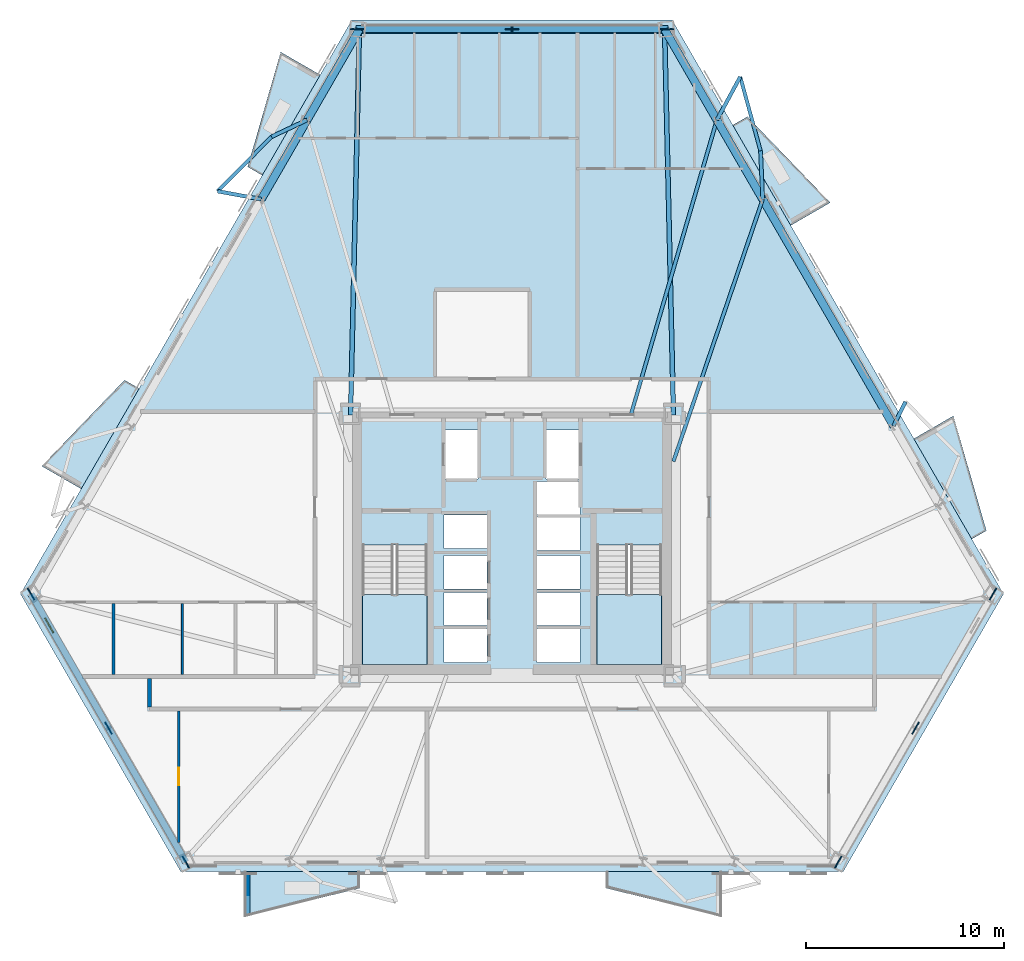
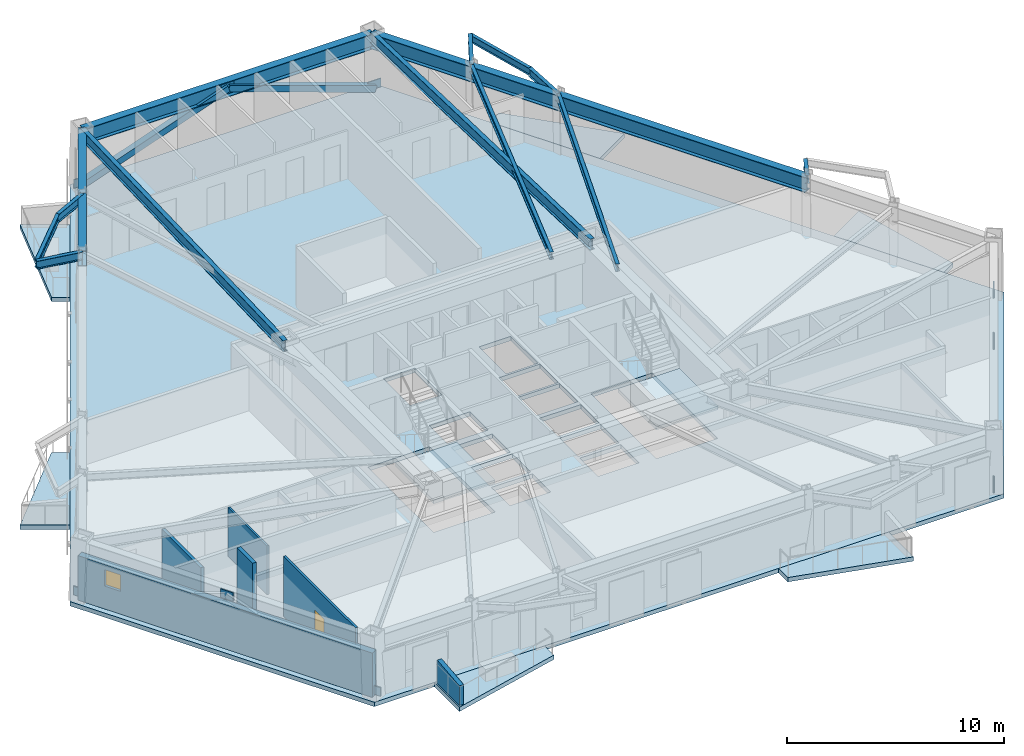
# One storey, part 2 of 12: 17 beams, 9 plates, 9 slabs, 6 walls, 2 members, 1 door, 1 window, 2 openings, 2 elements without a shape of their own.
"""IFC4 building model written with IfcOpenShell, lengths in metres."""

from ifc_helpers import new_model, si_unit, direction, frame, frame_2d, origin, origin_2d, place, context, subcontext, project, spatial, polyline, rectangle, hollow_rectangle, i_section, outline, extrude, material, layer, layer_set, material_profile, profile_set, type_object, element, fill, aggregate, save


model = new_model("IFC4")

# Units and contexts
model_context = context("Model", 3, precision=1e-05, world=origin(), true_north=direction((0.0, 1.0)))
body_context = subcontext(model_context, "Body", "Model", "MODEL_VIEW")
ifc_project = project(units=[si_unit("LENGTHUNIT", "METRE"), si_unit("AREAUNIT", "SQUARE_METRE"), si_unit("VOLUMEUNIT", "CUBIC_METRE"), si_unit("PLANEANGLEUNIT", "RADIAN"), si_unit("MASSUNIT", "GRAM", prefix="KILO")], contexts=[model_context])

# Site, building, storey
site_placement = place(None, origin())
site = spatial("IfcSite", under=ifc_project, at=site_placement, CompositionType="ELEMENT")
building_placement = place(site_placement, origin())
building = spatial("IfcBuilding", under=site, at=building_placement, Name="Oramaril Tower", CompositionType="ELEMENT")
storey_placement = place(building_placement, frame((0.0, 0.0, 34.5)))
storey = spatial("IfcBuildingStorey", under=building, at=storey_placement, Name="L08", CompositionType="ELEMENT", Elevation=34.5)

# Beams
ifc_material_1 = material(Name="Steel ASTM A572 Gr 50", Category="steel")
ifc_material_profile_1 = material_profile(ifc_material_1, i_section(OverallWidth=0.19091796875, OverallDepth=0.45703125, WebThickness=0.009033203125, FlangeThickness=0.014404296875, at=origin_2d()), Name="W18X50")
ifc_profile_set_1 = profile_set([ifc_material_profile_1], Name="Steel ASTM A572 Gr 50")
beam_type_1 = type_object("IfcBeamType", Name="BT-BB1", PredefinedType="BEAM", material=ifc_profile_set_1)
beam_1_placement = place(storey_placement, frame((56.759765625, 23.593505859375, 3.131591796875), z_axis=(0.444327199508, 0.895864576695, 0.0), x_axis=(-0.895864576695, 0.444327199508, 0.0)))
element("IfcBeam", 1, at=beam_1_placement, inside=storey, type_object=beam_type_1, Name="L08 Balcony Column-Framed Cantilever 03.2", PredefinedType="BEAM", context=body_context, shape_type="SweptSolid", body=[
    extrude(i_section(OverallWidth=0.19091796875, OverallDepth=0.45703125, WebThickness=0.009033203125, FlangeThickness=0.014404296875, at=origin_2d()), origin(), (0.0, 0.0, 1.0), 1.3544921875),
])
beam_2_placement = place(storey_placement, frame((50.1552734375, 35.03271484375, 3.131591796875), z_axis=(-0.045140969972, 0.998980626854, 0.0), x_axis=(-0.998980626854, -0.045140969972, 0.0)))
element("IfcBeam", 2, at=beam_2_placement, inside=storey, type_object=beam_type_1, Name="L08 Balcony Column-Framed Cantilever 04.1", PredefinedType="BEAM", context=body_context, shape_type="SweptSolid", body=[
    extrude(i_section(OverallWidth=0.19091796875, OverallDepth=0.45703125, WebThickness=0.009033203125, FlangeThickness=0.014404296875, at=origin_2d()), origin(), (0.0, 0.0, 1.0), 2.449951171875),
])
beam_3_placement = place(storey_placement, frame((47.84375, 39.036376953125, 3.131591796875), z_axis=(0.475946205517, 0.879474393859, 0.0), x_axis=(-0.879474393859, 0.475946205517, 0.0)))
element("IfcBeam", 3, at=beam_3_placement, inside=storey, type_object=beam_type_1, Name="L08 Balcony Column-Framed Cantilever 04.2", PredefinedType="BEAM", context=body_context, shape_type="SweptSolid", body=[
    extrude(i_section(OverallWidth=0.19091796875, OverallDepth=0.45703125, WebThickness=0.009033203125, FlangeThickness=0.014404296875, at=origin_2d()), origin(), (0.0, 0.0, 1.0), 2.474609375),
])
beam_4_placement = place(storey_placement, frame((27.15625, 39.036376953125, 3.131591796875), z_axis=(-0.904113809351, -0.427291726741, 0.0), x_axis=(0.427291726741, -0.904113809351, 0.0)))
element("IfcBeam", 4, at=beam_4_placement, inside=storey, type_object=beam_type_1, Name="L08 Balcony Column-Framed Cantilever 05.1", PredefinedType="BEAM", context=body_context, shape_type="SweptSolid", body=[
    extrude(i_section(OverallWidth=0.19091796875, OverallDepth=0.45703125, WebThickness=0.009033203125, FlangeThickness=0.014404296875, at=origin_2d()), origin(), (0.0, 0.0, 1.0), 1.9814453125),
])
beam_5_placement = place(storey_placement, frame((24.8447265625, 35.03271484375, 3.131591796875), z_axis=(-0.983540043701, 0.18069029425, 0.0), x_axis=(-0.18069029425, -0.983540043701, 0.0)))
element("IfcBeam", 5, at=beam_5_placement, inside=storey, type_object=beam_type_1, Name="L08 Balcony Column-Framed Cantilever 05.2", PredefinedType="BEAM", context=body_context, shape_type="SweptSolid", body=[
    extrude(i_section(OverallWidth=0.19091796875, OverallDepth=0.45703125, WebThickness=0.009033203125, FlangeThickness=0.014404296875, at=origin_2d()), origin(), (0.0, 0.0, 1.0), 2.237548828125),
])
ifc_material_2 = material(Name="Steel ASTM A572 Gr 50", Category="steel")
ifc_material_profile_2 = material_profile(ifc_material_2, i_section(OverallWidth=0.22900390625, OverallDepth=0.612060546875, WebThickness=0.011962890625, FlangeThickness=0.01953125, at=origin_2d()), Name="W24X84")
ifc_profile_set_2 = profile_set([ifc_material_profile_2], Name="Steel ASTM A572 Gr 50")
beam_type_2 = type_object("IfcBeamType", Name="BT-FB1", PredefinedType="BEAM", material=ifc_profile_set_2)
for number, where, z_axis, x_axis, name in (
    (6, (45.64990234375, 24.14990234375, 3.053955078125), (-0.023000587311, 0.999735451499, 0.0), (-0.999735451499, -0.023000587311, 0.0), "L08 Radial Primary Beam RB-05"),
    (7, (29.35009765625, 24.14990234375, 3.053955078125), (0.023000587311, 0.999735451499, 0.0), (-0.999735451499, 0.023000587311, 0.0), "L08 Radial Primary Beam RB-06"),
):
    element("IfcBeam", number, at=place(storey_placement, frame(where, z_axis=z_axis, x_axis=x_axis)), inside=storey, type_object=beam_type_2, Name=name, PredefinedType="BEAM", context=body_context, shape_type="SweptSolid", body=[
        extrude(i_section(OverallWidth=0.22900390625, OverallDepth=0.612060546875, WebThickness=0.011962890625, FlangeThickness=0.01953125, at=origin_2d()), origin(), (0.0, 0.0, 1.0), 19.467041015625),
    ])
ifc_material_3 = material(Name="Steel ASTM A572 Gr 50", Category="steel")
ifc_material_profile_3 = material_profile(ifc_material_3, i_section(OverallWidth=0.177978515625, OverallDepth=0.404052734375, WebThickness=0.007568359375, FlangeThickness=0.010986328125, at=origin_2d()), Name="W16X36")
ifc_profile_set_3 = profile_set([ifc_material_profile_3], Name="Steel ASTM A572 Gr 50")
beam_type_3 = type_object("IfcBeamType", Name="BT-SB1", PredefinedType="BEAM", material=ifc_profile_set_3)
beam_6_placement = place(storey_placement, frame((45.64990234375, 21.800048828125, 3.157958984375), z_axis=(0.322304424672, 0.946636074654, 0.0), x_axis=(-0.946636074654, 0.322304424672, 0.0)))
element("IfcBeam", 8, at=beam_6_placement, inside=storey, type_object=beam_type_3, Name="L08 Secondary Floor Beam SB-06", PredefinedType="BEAM", context=body_context, shape_type="SweptSolid", body=[
    extrude(i_section(OverallWidth=0.177978515625, OverallDepth=0.404052734375, WebThickness=0.007568359375, FlangeThickness=0.010986328125, at=origin_2d()), origin(), (0.0, 0.0, 1.0), 13.978515625),
])
beam_7_placement = place(storey_placement, frame((43.5, 24.14990234375, 3.157958984375), z_axis=(0.280110631764, 0.959967725485, 0.0), x_axis=(-0.959967725485, 0.280110631764, 0.0)))
element("IfcBeam", 9, at=beam_7_placement, inside=storey, type_object=beam_type_3, Name="L08 Secondary Floor Beam SB-07", PredefinedType="BEAM", context=body_context, shape_type="SweptSolid", body=[
    extrude(i_section(OverallWidth=0.177978515625, OverallDepth=0.404052734375, WebThickness=0.007568359375, FlangeThickness=0.010986328125, at=origin_2d()), origin(), (0.0, 0.0, 1.0), 15.50732421875),
])
beam_8_placement = place(storey_placement, frame((50.044677734375, 37.480224609375, 3.157958984375), z_axis=(-0.264382243015, 0.964417974521, 0.0), x_axis=(-0.964417974521, -0.264382243015, 0.0)))
element("IfcBeam", 10, at=beam_8_placement, inside=storey, type_object=beam_type_3, Name="L08 Balcony Edge Tie Beam 04", PredefinedType="BEAM", context=body_context, shape_type="SweptSolid", body=[
    extrude(i_section(OverallWidth=0.177978515625, OverallDepth=0.404052734375, WebThickness=0.007568359375, FlangeThickness=0.010986328125, at=origin_2d()), origin(), (0.0, 0.0, 1.0), 3.8701171875),
])
beam_9_placement = place(storey_placement, frame((25.36474609375, 38.189697265625, 3.157958984375), z_axis=(-0.702962973102, -0.711226446673, 0.0), x_axis=(0.711226446673, -0.702962973102, 0.0)))
element("IfcBeam", 11, at=beam_9_placement, inside=storey, type_object=beam_type_3, Name="L08 Balcony Edge Tie Beam 05", PredefinedType="BEAM", context=body_context, shape_type="SweptSolid", body=[
    extrude(i_section(OverallWidth=0.177978515625, OverallDepth=0.404052734375, WebThickness=0.007568359375, FlangeThickness=0.010986328125, at=origin_2d()), origin(), (0.0, 0.0, 1.0), 3.870361328125),
])
ifc_material_4 = material(Name="Steel ASTM A572 Gr 50", Category="steel")
ifc_material_profile_4 = material_profile(ifc_material_4, i_section(OverallWidth=0.40087890625, OverallDepth=0.85595703125, WebThickness=0.018310546875, FlangeThickness=0.029296875, at=origin_2d()), Name="W33X201")
ifc_profile_set_4 = profile_set([ifc_material_profile_4], Name="Steel ASTM A572 Gr 50")
beam_type_4 = type_object("IfcBeamType", Name="BT-SP1", PredefinedType="SPANDREL", material=ifc_profile_set_4)
beam_10_placement = place(storey_placement, frame((56.759765625, 23.593505859375, 2.931884765625), z_axis=(-0.500003509056, 0.866023377821, 0.0), x_axis=(-0.866023377821, -0.500003509056, 0.0)))
element("IfcBeam", 12, at=beam_10_placement, inside=storey, type_object=beam_type_4, Name="L08 Perimeter Spandrel 10", PredefinedType="SPANDREL", context=body_context, shape_type="SweptSolid", body=[
    extrude(i_section(OverallWidth=0.40087890625, OverallDepth=0.85595703125, WebThickness=0.018310546875, FlangeThickness=0.029296875, at=origin_2d()), origin(), (0.0, 0.0, 1.0), 13.208984375),
])
beam_11_placement = place(storey_placement, frame((50.1552734375, 35.03271484375, 2.931884765625), z_axis=(-0.500001304485, 0.866024650639, 0.0), x_axis=(-0.866024650639, -0.500001304485, 0.0)))
element("IfcBeam", 13, at=beam_11_placement, inside=storey, type_object=beam_type_4, Name="L08 Perimeter Spandrel 11", PredefinedType="SPANDREL", context=body_context, shape_type="SweptSolid", body=[
    extrude(i_section(OverallWidth=0.40087890625, OverallDepth=0.85595703125, WebThickness=0.018310546875, FlangeThickness=0.029296875, at=origin_2d()), origin(), (0.0, 0.0, 1.0), 4.623046875),
])
beam_12_placement = place(storey_placement, frame((47.84375, 39.036376953125, 2.931884765625), z_axis=(-0.499995792721, 0.866027832845, 0.0), x_axis=(-0.866027832845, -0.499995792721, 0.0)))
element("IfcBeam", 14, at=beam_12_placement, inside=storey, type_object=beam_type_4, Name="L08 Perimeter Spandrel 12", PredefinedType="SPANDREL", context=body_context, shape_type="SweptSolid", body=[
    extrude(i_section(OverallWidth=0.40087890625, OverallDepth=0.85595703125, WebThickness=0.018310546875, FlangeThickness=0.029296875, at=origin_2d()), origin(), (0.0, 0.0, 1.0), 5.283203125),
])
beam_13_placement = place(storey_placement, frame((45.2021484375, 43.61181640625, 2.931884765625), z_axis=(-1.0, 0.0, 0.0), x_axis=(0.0, -1.0, 0.0)))
element("IfcBeam", 15, at=beam_13_placement, inside=storey, type_object=beam_type_4, Name="L08 Perimeter Spandrel 13", PredefinedType="SPANDREL", context=body_context, shape_type="SweptSolid", body=[
    extrude(i_section(OverallWidth=0.40087890625, OverallDepth=0.85595703125, WebThickness=0.018310546875, FlangeThickness=0.029296875, at=origin_2d()), origin(), (0.0, 0.0, 1.0), 15.404296875),
])
beam_14_placement = place(storey_placement, frame((29.7978515625, 43.61181640625, 2.931884765625), z_axis=(-0.499995792721, -0.866027832845, 0.0), x_axis=(0.866027832845, -0.499995792721, 0.0)))
element("IfcBeam", 16, at=beam_14_placement, inside=storey, type_object=beam_type_4, Name="L08 Perimeter Spandrel 14", PredefinedType="SPANDREL", context=body_context, shape_type="SweptSolid", body=[
    extrude(i_section(OverallWidth=0.40087890625, OverallDepth=0.85595703125, WebThickness=0.018310546875, FlangeThickness=0.029296875, at=origin_2d()), origin(), (0.0, 0.0, 1.0), 5.283203125),
])
beam_15_placement = place(storey_placement, frame((27.15625, 39.036376953125, 2.931884765625), z_axis=(-0.500001304485, -0.866024650639, 0.0), x_axis=(0.866024650639, -0.500001304485, 0.0)))
element("IfcBeam", 17, at=beam_15_placement, inside=storey, type_object=beam_type_4, Name="L08 Perimeter Spandrel 15", PredefinedType="SPANDREL", context=body_context, shape_type="SweptSolid", body=[
    extrude(i_section(OverallWidth=0.40087890625, OverallDepth=0.85595703125, WebThickness=0.018310546875, FlangeThickness=0.029296875, at=origin_2d()), origin(), (0.0, 0.0, 1.0), 4.623046875),
])

# Members
ifc_material_5 = material(Name="Steel ASTM A572 Gr 50", Category="steel")
ifc_material_profile_5 = material_profile(ifc_material_5, hollow_rectangle(XDim=0.35009765625, YDim=0.35009765625, WallThickness=0.01611328125, at=origin_2d()), Name="HSS350X350X16")
ifc_profile_set_5 = profile_set([ifc_material_profile_5], Name="Steel ASTM A572 Gr 50")
member_type = type_object("IfcMemberType", Name="MT-KB1", PredefinedType="BRACE", material=ifc_profile_set_5)
for number, where, z_axis, x_axis, name in (
    (18, (45.316162109375, 43.621337890625, 0.179931640625), (-0.943243528696, 0.0, 0.332101860236), (0.0, -1.0, 0.0), "L08 Perimeter Chevron Brace KB-3A"),
    (19, (29.683837890625, 43.621337890625, 0.179931640625), (0.943243528696, 0.0, 0.332101860236), (0.0, 1.0, 0.0), "L08 Perimeter Chevron Brace KB-3B"),
):
    element("IfcMember", number, at=place(storey_placement, frame(where, z_axis=z_axis, x_axis=x_axis)), inside=storey, type_object=member_type, Name=name, PredefinedType="BRACE", context=body_context, shape_type="SweptSolid", body=[
        extrude(hollow_rectangle(XDim=0.35009765625, YDim=0.35009765625, WallThickness=0.01611328125, at=origin_2d()), origin(), (0.0, 0.0, 1.0), 8.286376953125),
    ])

# Plates
ifc_material_6 = material(Name="Steel ASTM A572 Gr 50", Category="steel")
ifc_layer_1 = layer(ifc_material_6, 0.06005859375)
ifc_layer_set_1 = layer_set([ifc_layer_1], Name="PLT-G60")
plate_type = type_object("IfcPlateType", Name="PLT-G60", PredefinedType="USERDEFINED", material=ifc_layer_set_1)
for number, where, z_axis, x_axis, name in (
    (20, (17.1298828125, 8.33935546875, 2.69189453125), (0.0, 0.0, 1.0), (0.4999984885, -0.866026276448, 0.0), "L08 Chevron Brace Gusset Plate BN-1"),
    (21, (13.221923828125, 15.1083984375, 0.10009765625), (0.0, 0.0, 1.0), (0.4999984885, -0.866026276448, 0.0), "L08 Chevron Brace Gusset Plate BN-1"),
    (22, (21.0380859375, 1.5703125, 0.10009765625), (0.0, 0.0, 1.0), (0.4999984885, -0.866026276448, 0.0), "L08 Chevron Brace Gusset Plate BN-1"),
    (23, (57.8701171875, 8.33935546875, 2.69189453125), (0.0, 0.0, 1.0), (0.4999984885, 0.866026276448, 0.0), "L08 Chevron Brace Gusset Plate BN-1"),
    (24, (53.9619140625, 1.5703125, 0.10009765625), (0.0, 0.0, 1.0), (0.4999984885, 0.866026276448, 0.0), "L08 Chevron Brace Gusset Plate BN-1"),
    (25, (61.778076171875, 15.1083984375, 0.10009765625), (0.0, 0.0, 1.0), (0.4999984885, 0.866026276448, 0.0), "L08 Chevron Brace Gusset Plate BN-1"),
    (26, (37.5, 43.621337890625, 2.69189453125), (0.0, 0.0, 1.0), (-1.0, 0.0, 0.0), "L08 Chevron Brace Gusset Plate BN-1"),
    (27, (45.316162109375, 43.621337890625, 0.10009765625), (0.0, 0.0, 1.0), (-1.0, 0.0, 0.0), "L08 Chevron Brace Gusset Plate BN-1"),
    (28, (29.683837890625, 43.621337890625, 0.10009765625), (0.0, 0.0, 1.0), (-1.0, 0.0, 0.0), "L08 Chevron Brace Gusset Plate BN-1"),
):
    element("IfcPlate", number, at=place(storey_placement, frame(where, z_axis=z_axis, x_axis=x_axis)), inside=storey, type_object=plate_type, Name=name, ObjectType="GUSSET", PredefinedType="USERDEFINED", context=body_context, shape_type="SweptSolid", body=[
        extrude(rectangle(XDim=0.679931640625, YDim=0.06005859375, at=origin_2d()), origin(), (0.0, 0.0, 1.0), 0.47998046875),
    ])

# Slabs
ifc_material_7 = material(Name="Concrete C40/50", Category="concrete")
ifc_layer_2 = layer(ifc_material_7, 0.199951171875)
ifc_layer_set_2 = layer_set([ifc_layer_2], Name="SLT-BAL20")
slab_type_1 = type_object("IfcSlabType", Name="SLT-BAL20", PredefinedType="FLOOR", material=ifc_layer_set_2)
slab_1_placement = place(storey_placement, frame((0.0, 0.0, -0.239990234375)))
element("IfcSlab", 29, at=slab_1_placement, inside=storey, type_object=slab_type_1, Name="L08 Cantilevered Balcony Slab L08-BAL-S2", PredefinedType="FLOOR", context=body_context, shape_type="SweptSolid", body=[
    extrude(outline(polyline([(42.25244140625, 1.1123046875), (48.1025390625, 1.1123046875), (48.1025390625, -1.189697265625), (42.25244140625, 0.26025390625), (42.25244140625, 1.1123046875)])), origin(), (0.0, 0.0, 1.0), 0.239990234375),
])
slab_2_placement = place(storey_placement, frame((0.0, 0.0, -0.239990234375)))
element("IfcSlab", 30, at=slab_2_placement, inside=storey, type_object=slab_type_1, Name="L08 Cantilevered Balcony Slab L08-BAL-NE1", PredefinedType="FLOOR", context=body_context, shape_type="SweptSolid", body=[
    extrude(outline(polyline([(60.70751953125, 17.878662109375), (57.78271484375, 22.94482421875), (59.776123046875, 24.095947265625), (61.4453125, 18.3046875), (60.70751953125, 17.878662109375)])), origin(), (0.0, 0.0, 1.0), 0.239990234375),
])
slab_3_placement = place(storey_placement, frame((0.0, 0.0, -0.239990234375)))
element("IfcSlab", 31, at=slab_3_placement, inside=storey, type_object=slab_type_1, Name="L08 Cantilevered Balcony Slab L08-BAL-NW2", PredefinedType="FLOOR", context=body_context, shape_type="SweptSolid", body=[
    extrude(outline(polyline([(18.679931640625, 25.47802734375), (15.7548828125, 20.411865234375), (13.76123046875, 21.562744140625), (17.942138671875, 25.904052734375), (18.679931640625, 25.47802734375)])), origin(), (0.0, 0.0, 1.0), 0.239990234375),
])
ifc_material_8 = material(Name="Concrete C50/60", Category="concrete")
ifc_layer_3 = layer(ifc_material_8, 0.239990234375)
ifc_layer_set_3 = layer_set([ifc_layer_3], Name="SLT-FLR24")
slab_type_2 = type_object("IfcSlabType", Name="SLT-FLR24", PredefinedType="FLOOR", material=ifc_layer_set_3)
slab_4_placement = place(storey_placement, frame((0.0, 0.0, -0.239990234375)))
element("IfcSlab", 32, at=slab_4_placement, inside=storey, type_object=slab_type_2, Name="L08 Structural Floor Slab", PredefinedType="FLOOR", context=body_context, shape_type="SweptSolid", body=[
    extrude(outline(polyline([(12.690673828125, 15.1083984375), (20.7724609375, 1.1103515625), (54.2275390625, 1.1103515625), (62.309326171875, 15.1083984375), (45.581787109375, 44.081298828125), (29.418212890625, 44.081298828125), (12.690673828125, 15.1083984375)]), holes=[polyline([(29.949951171875, 17.58935546875), (29.949951171875, 11.550048828125), (33.219970703125, 11.550048828125), (33.219970703125, 17.58935546875), (29.949951171875, 17.58935546875)]), polyline([(41.780029296875, 17.58935546875), (41.780029296875, 11.550048828125), (45.050048828125, 11.550048828125), (45.050048828125, 17.58935546875), (41.780029296875, 17.58935546875)]), polyline([(34.110107421875, 20.909912109375), (35.7900390625, 20.909912109375), (35.7900390625, 23.389892578125), (34.110107421875, 23.389892578125), (34.110107421875, 20.909912109375)]), polyline([(39.2099609375, 20.909912109375), (40.889892578125, 20.909912109375), (40.889892578125, 23.389892578125), (39.2099609375, 23.389892578125), (39.2099609375, 20.909912109375)]), polyline([(34.06005859375, 11.659912109375), (36.239990234375, 11.659912109375), (36.239990234375, 13.340087890625), (34.06005859375, 13.340087890625), (34.06005859375, 11.659912109375)]), polyline([(34.06005859375, 13.510009765625), (36.239990234375, 13.510009765625), (36.239990234375, 15.18994140625), (34.06005859375, 15.18994140625), (34.06005859375, 13.510009765625)]), polyline([(34.06005859375, 15.360107421875), (36.239990234375, 15.360107421875), (36.239990234375, 17.0400390625), (34.06005859375, 17.0400390625), (34.06005859375, 15.360107421875)]), polyline([(38.760009765625, 11.659912109375), (40.93994140625, 11.659912109375), (40.93994140625, 13.340087890625), (38.760009765625, 13.340087890625), (38.760009765625, 11.659912109375)]), polyline([(38.760009765625, 13.510009765625), (40.93994140625, 13.510009765625), (40.93994140625, 15.18994140625), (38.760009765625, 15.18994140625), (38.760009765625, 13.510009765625)]), polyline([(38.760009765625, 15.360107421875), (40.93994140625, 15.360107421875), (40.93994140625, 17.0400390625), (38.760009765625, 17.0400390625), (38.760009765625, 15.360107421875)]), polyline([(34.06005859375, 17.409912109375), (36.239990234375, 17.409912109375), (36.239990234375, 19.090087890625), (34.06005859375, 19.090087890625), (34.06005859375, 17.409912109375)]), polyline([(38.760009765625, 17.31005859375), (40.93994140625, 17.31005859375), (40.93994140625, 18.989990234375), (38.760009765625, 18.989990234375), (38.760009765625, 17.31005859375)]), polyline([(38.760009765625, 19.110107421875), (40.93994140625, 19.110107421875), (40.93994140625, 20.7900390625), (38.760009765625, 20.7900390625), (38.760009765625, 19.110107421875)])]), origin(), (0.0, 0.0, 1.0), 0.239990234375),
])

# Stair, slab
ifc_material_9 = material(Name="Concrete C50/60", Category="concrete")
stair_type = type_object("IfcStairType", Name="STT-DG-3600", PredefinedType="HALF_TURN_STAIR", material=ifc_material_9)
stair_1_placement = place(storey_placement, origin())
stair_1 = element("IfcStair", 33, at=stair_1_placement, inside=storey, type_object=stair_type, Name="L08 Protected PFP Exit Stair ST-1", PredefinedType="HALF_TURN_STAIR")
ifc_material_10 = material(Name="Concrete C50/60", Category="concrete")
ifc_layer_4 = layer(ifc_material_10, 0.199951171875)
ifc_layer_set_4 = layer_set([ifc_layer_4], Name="SLT-LND20")
slab_type_3 = type_object("IfcSlabType", Name="SLT-LND20", PredefinedType="LANDING", material=ifc_layer_set_4)
slab_5_placement = place(storey_placement, frame((0.0, 0.0, 1.60009765625)))
slab_5 = element("IfcSlab", 34, at=slab_5_placement, type_object=slab_type_3, Name="ST-1 landing 1", PredefinedType="LANDING", context=body_context, shape_type="SweptSolid", body=[
    extrude(outline(polyline([(29.949951171875, 15.070068359375), (29.949951171875, 11.550048828125), (33.219970703125, 11.550048828125), (33.219970703125, 15.070068359375), (29.949951171875, 15.070068359375)])), origin(), (0.0, 0.0, 1.0), 0.199951171875),
])
aggregate(stair_1, [slab_5])

stair_2_placement = place(storey_placement, origin())
stair_2 = element("IfcStair", 35, at=stair_2_placement, inside=storey, type_object=stair_type, Name="L08 Protected PFP Exit Stair ST-2", PredefinedType="HALF_TURN_STAIR")
slab_6_placement = place(storey_placement, frame((0.0, 0.0, 1.60009765625)))
slab_6 = element("IfcSlab", 36, at=slab_6_placement, type_object=slab_type_3, Name="ST-2 landing 1", PredefinedType="LANDING", context=body_context, shape_type="SweptSolid", body=[
    extrude(outline(polyline([(41.780029296875, 15.070068359375), (41.780029296875, 11.550048828125), (45.050048828125, 11.550048828125), (45.050048828125, 15.070068359375), (41.780029296875, 15.070068359375)])), origin(), (0.0, 0.0, 1.0), 0.199951171875),
])
aggregate(stair_2, [slab_6])

# Slabs
ifc_material_11 = material(Name="Concrete C40/50", Category="concrete")
ifc_layer_5 = layer(ifc_material_11, 0.18994140625)
ifc_layer_set_5 = layer_set([ifc_layer_5], Name="SLT-PLN19")
slab_type_4 = type_object("IfcSlabType", Name="SLT-PLN19", PredefinedType="FLOOR", material=ifc_layer_set_5)
slab_7_placement = place(storey_placement, frame((0.0, 0.0, -0.239990234375)))
element("IfcSlab", 37, at=slab_7_placement, inside=storey, type_object=slab_type_4, Name="L08 Tree Planter Balcony Slab L08-BAL-S1", PredefinedType="FLOOR", context=body_context, shape_type="SweptSolid", body=[
    extrude(outline(polyline([(23.972412109375, 1.1123046875), (29.822509765625, 1.1123046875), (29.822509765625, 0.26025390625), (23.972412109375, -1.189697265625), (23.972412109375, 1.1123046875)])), origin(), (0.0, 0.0, 1.0), 0.239990234375),
])
slab_8_placement = place(storey_placement, frame((0.0, 0.0, -0.239990234375)))
element("IfcSlab", 38, at=slab_8_placement, inside=storey, type_object=slab_type_4, Name="L08 Tree Planter Balcony Slab L08-BAL-NE2", PredefinedType="FLOOR", context=body_context, shape_type="SweptSolid", body=[
    extrude(outline(polyline([(51.567626953125, 33.709716796875), (48.642578125, 38.77587890625), (49.38037109375, 39.201904296875), (53.561279296875, 34.860595703125), (51.567626953125, 33.709716796875)])), origin(), (0.0, 0.0, 1.0), 0.239990234375),
])
slab_9_placement = place(storey_placement, frame((0.0, 0.0, -0.239990234375)))
element("IfcSlab", 39, at=slab_9_placement, inside=storey, type_object=slab_type_4, Name="L08 Tree Planter Balcony Slab L08-BAL-NW1", PredefinedType="FLOOR", context=body_context, shape_type="SweptSolid", body=[
    extrude(outline(polyline([(27.81982421875, 41.30908203125), (24.89501953125, 36.242919921875), (24.156982421875, 36.668701171875), (25.826416015625, 42.4599609375), (27.81982421875, 41.30908203125)])), origin(), (0.0, 0.0, 1.0), 0.239990234375),
])

# Wall, opening, window
ifc_material_12 = material(Name="Warm Cream Limestone", Category="masonry")
ifc_layer_6 = layer(ifc_material_12, 0.340087890625)
ifc_layer_set_6 = layer_set([ifc_layer_6], Name="WT-EXT34")
wall_type_1 = type_object("IfcWallType", Name="WT-EXT34", PredefinedType="SOLIDWALL", material=ifc_layer_set_6)
wall_1_placement = place(storey_placement, frame((13.221923828125, 15.1083984375, 0.0), z_axis=(0.0, 0.0, 1.0), x_axis=(0.499997339613, -0.866026939754, 0.0)))
wall_1 = element("IfcWall", 40, at=wall_1_placement, inside=storey, type_object=wall_type_1, Name="L08 Tower Limestone Facade Wall 1M", PredefinedType="SOLIDWALL", context=body_context, shape_type="SweptSolid", body=[
    extrude(rectangle(XDim=15.63232421875, YDim=0.340087890625, at=frame_2d((7.816162109375, 0.0))), origin(), (0.0, 0.0, 1.0), 2.493896484375),
])
opening_1_placement = place(wall_1_placement, frame((1.410888671875, 0.0, 1.280029296875)))
opening_1 = element("IfcOpeningElement", 41, at=opening_1_placement, cuts=wall_1, Name="Opening WN-13", PredefinedType="OPENING", context=body_context, shape_type="SweptSolid", body=[
    extrude(rectangle(XDim=0.85009765625, YDim=0.919921875, at=frame_2d((0.425048828125, 0.4599609375))), frame((0.0, 0.169921875, 0.0), z_axis=(0.0, -1.0, 0.0), x_axis=(1.0, 0.0, 0.0)), (0.0, 0.0, 1.0), 0.340087890625),
])
ifc_material_13 = material(Name="Coastal Low-E Insulated Glass", Category="glass")
window_type = type_object("IfcWindowType", Name="WNT-13", PartitioningType="SINGLE_PANEL", PredefinedType="WINDOW", material=ifc_material_13)
window_placement = place(opening_1_placement, origin())
window = element("IfcWindow", 42, at=window_placement, inside=storey, type_object=window_type, Name="L08 Apartment Bedroom Window WN-13", OverallHeight=0.919921875, OverallWidth=0.85009765625, PartitioningType="SINGLE_PANEL", PredefinedType="WINDOW", context=body_context, shape_type="SweptSolid", body=[
    extrude(rectangle(XDim=0.85009765625, YDim=0.919921875, at=frame_2d((0.425048828125, 0.4599609375))), frame((0.0, 0.030029296875, 0.0), z_axis=(0.0, -1.0, 0.0), x_axis=(1.0, 0.0, 0.0)), (0.0, 0.0, 1.0), 0.06005859375),
])
fill(opening_1, window)

# Walls
ifc_material_14 = material(Name="Concrete C40/50", Category="concrete")
ifc_layer_7 = layer(ifc_material_14, 0.22998046875)
ifc_layer_set_7 = layer_set([ifc_layer_7], Name="WT-PRP23")
wall_type_2 = type_object("IfcWallType", Name="WT-PRP23", PredefinedType="PARAPET", material=ifc_layer_set_7)
wall_2_placement = place(storey_placement, frame((24.152587890625, 0.972412109375, 0.0), z_axis=(0.0, 0.0, 1.0), x_axis=(0.0, -1.0, 0.0)))
element("IfcWall", 43, at=wall_2_placement, inside=storey, type_object=wall_type_2, Name="L08 Trapezoidal Balcony Frame Cheek L08-BAL-S1-L", PredefinedType="PARAPET", context=body_context, shape_type="SweptSolid", body=[
    extrude(outline(polyline([(0.0, 0.0), (2.0419921875, 0.0), (2.0419921875, 1.10009765625), (0.0, 1.320068359375), (0.0, 0.0)])), frame((0.0, 0.114990234375, 0.0), z_axis=(0.0, -1.0, 0.0), x_axis=(1.0, 0.0, 0.0)), (0.0, 0.0, 1.0), 0.22998046875),
])
ifc_material_15 = material(Name="Acoustic Gypsum Board Partition")
ifc_layer_8 = layer(ifc_material_15, 0.10009765625)
ifc_layer_set_8 = layer_set([ifc_layer_8], Name="WT-PT10")
wall_type_3 = type_object("IfcWallType", Name="WT-PT10", PredefinedType="PARTITIONING", material=ifc_layer_set_8)
wall_3_placement = place(storey_placement, frame((20.860107421875, 11.053955078125, 0.0), z_axis=(0.0, 0.0, 1.0), x_axis=(0.0, 1.0, 0.0)))
element("IfcWall", 44, at=wall_3_placement, inside=storey, type_object=wall_type_3, Name="L08 Interior Partition PT-10", PredefinedType="PARTITIONING", context=body_context, shape_type="SweptSolid", body=[
    extrude(rectangle(XDim=3.572021484375, YDim=0.10009765625, at=frame_2d((1.7861328125, 0.0))), origin(), (0.0, 0.0, 1.0), 2.738037109375),
])

# Wall, opening, door
ifc_material_16 = material(Name="Acoustic Gypsum Board Partition")
ifc_layer_9 = layer(ifc_material_16, 0.1201171875)
ifc_layer_set_9 = layer_set([ifc_layer_9], Name="WT-PT12")
wall_type_4 = type_object("IfcWallType", Name="WT-PT12", PredefinedType="PARTITIONING", material=ifc_layer_set_9)
wall_4_placement = place(storey_placement, frame((20.669921875, 2.555908203125, 0.0), z_axis=(0.0, 0.0, 1.0), x_axis=(0.0, 1.0, 0.0)))
wall_4 = element("IfcWall", 45, at=wall_4_placement, inside=storey, type_object=wall_type_4, Name="L08 Interior Partition PT-12", PredefinedType="PARTITIONING", context=body_context, shape_type="SweptSolid", body=[
    extrude(rectangle(XDim=6.64013671875, YDim=0.1201171875, at=frame_2d((3.320068359375, 0.0))), origin(), (0.0, 0.0, 1.0), 3.360107421875),
])
opening_2_placement = place(wall_4_placement, frame((2.90625, 0.0, 0.0)))
opening_2 = element("IfcOpeningElement", 46, at=opening_2_placement, cuts=wall_4, Name="Opening D-L08-25", PredefinedType="OPENING", context=body_context, shape_type="SweptSolid", body=[
    extrude(rectangle(XDim=0.8798828125, YDim=2.080078125, at=frame_2d((0.43994140625, 1.0400390625))), frame((0.0, 0.06005859375, 0.0), z_axis=(0.0, -1.0, 0.0), x_axis=(1.0, 0.0, 0.0)), (0.0, 0.0, 1.0), 0.1201171875),
])
ifc_material_17 = material(Name="FSC Brazilian Freijo Hardwood", Category="wood")
door_type = type_object("IfcDoorType", Name="DT-BATH", OperationType="NOTDEFINED", PredefinedType="DOOR", material=ifc_material_17)
door_placement = place(opening_2_placement, origin())
door = element("IfcDoor", 47, at=door_placement, inside=storey, type_object=door_type, Name="L08 Flat L08-U1 Bathroom Door D-L08-25", OperationType="SINGLE_SWING_LEFT", OverallHeight=2.080078125, OverallWidth=0.8798828125, PredefinedType="DOOR", context=body_context, shape_type="SweptSolid", body=[
    extrude(rectangle(XDim=0.8798828125, YDim=2.080078125, at=frame_2d((0.43994140625, 1.0400390625))), frame((0.0, 0.02490234375, 0.0), z_axis=(0.0, -1.0, 0.0), x_axis=(1.0, 0.0, 0.0)), (0.0, 0.0, 1.0), 0.050048828125),
])
fill(opening_2, door)

# Walls
ifc_material_18 = material(Name="Acoustic Gypsum Board Partition")
ifc_layer_10 = layer(ifc_material_18, 0.159912109375)
ifc_layer_set_10 = layer_set([ifc_layer_10], Name="WT-PT16")
wall_type_5 = type_object("IfcWallType", Name="WT-PT16", PredefinedType="PARTITIONING", material=ifc_layer_set_10)
wall_5_placement = place(storey_placement, frame((17.3798828125, 11.053955078125, 0.0), z_axis=(0.0, 0.0, 1.0), x_axis=(0.0, 1.0, 0.0)))
element("IfcWall", 48, at=wall_5_placement, inside=storey, type_object=wall_type_5, Name="L08 Interior Partition PT-16", PredefinedType="PARTITIONING", context=body_context, shape_type="SweptSolid", body=[
    extrude(rectangle(XDim=3.572021484375, YDim=0.159912109375, at=frame_2d((1.7861328125, 0.0))), origin(), (0.0, 0.0, 1.0), 2.738037109375),
])
ifc_material_19 = material(Name="Autoclaved Cellular Concrete Block", Category="concrete")
ifc_layer_11 = layer(ifc_material_19, 0.199951171875)
ifc_layer_set_11 = layer_set([ifc_layer_11], Name="WT-PT20")
wall_type_6 = type_object("IfcWallType", Name="WT-PT20", PredefinedType="PARTITIONING", material=ifc_layer_set_11)
wall_6_placement = place(storey_placement, frame((19.199951171875, 9.404052734375, 0.0), z_axis=(0.0, 0.0, 1.0), x_axis=(0.0, 1.0, 0.0)))
element("IfcWall", 49, at=wall_6_placement, inside=storey, type_object=wall_type_6, Name="L08 Interior Partition PT-20", PredefinedType="PARTITIONING", context=body_context, shape_type="SweptSolid", body=[
    extrude(rectangle(XDim=1.44189453125, YDim=0.199951171875, at=frame_2d((0.720947265625, 0.0))), origin(), (0.0, 0.0, 1.0), 3.360107421875),
])

save(model, "model.ifc")
